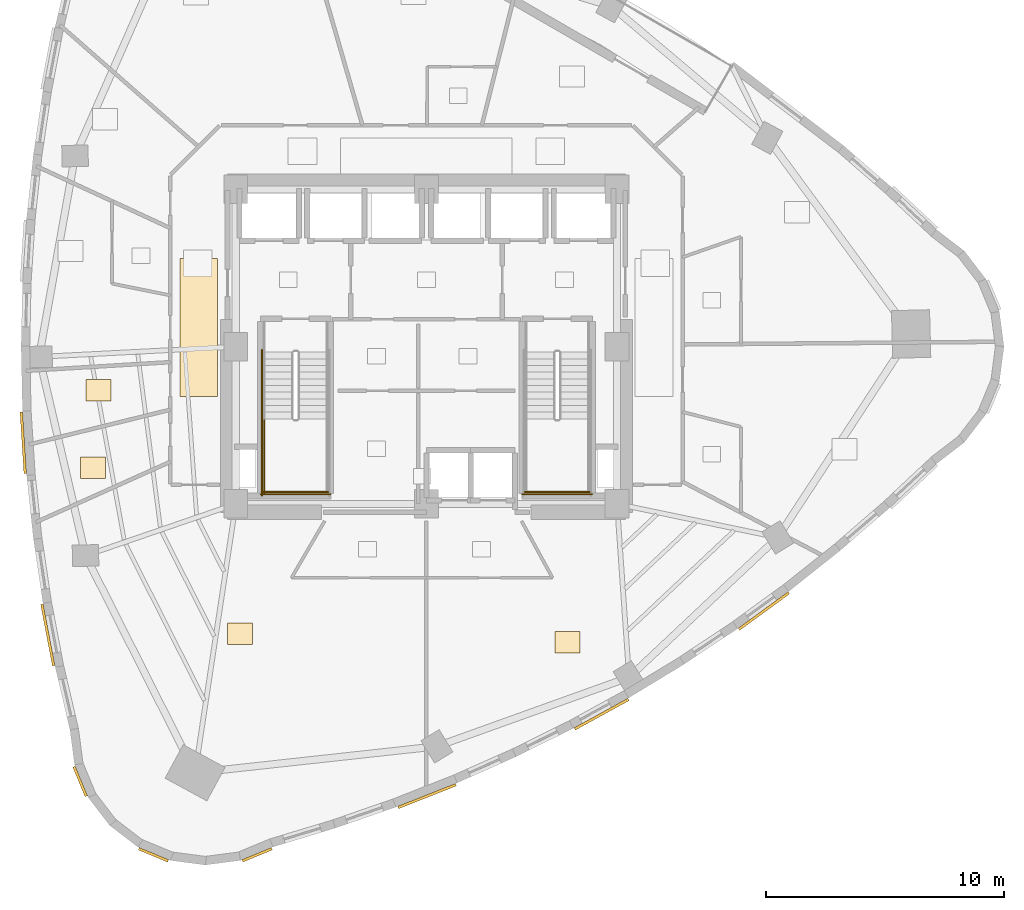
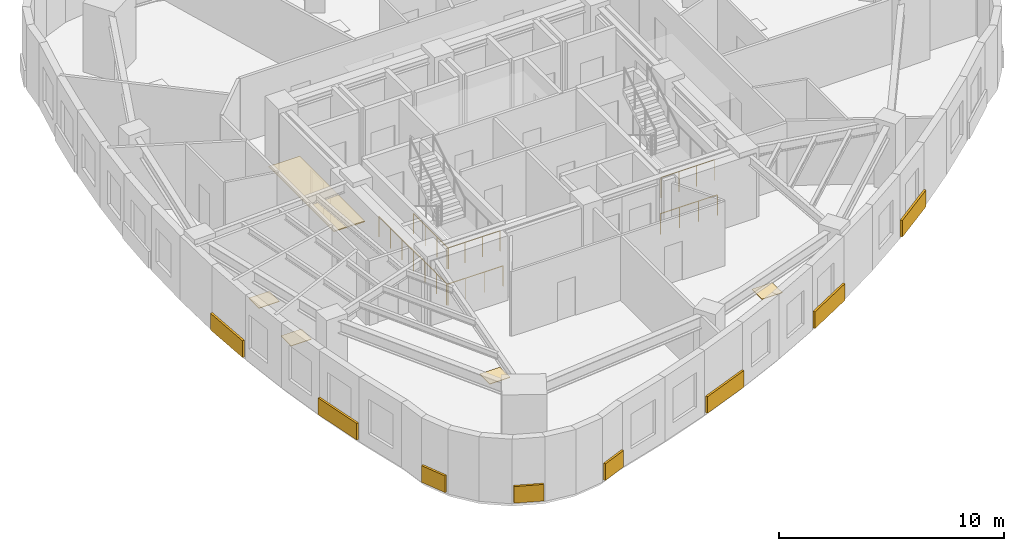
# One storey, part 11 of 13: 13 coverings, 6 railings.
"""IFC4 building model written with IfcOpenShell, lengths in metres."""

from ifc_helpers import new_model, si_unit, direction, frame, origin, origin_2d, place, context, subcontext, project, spatial, rectangle, circle, extrude, material, layer, layer_set, type_object, element, save


model = new_model("IFC4")

# Units and contexts
model_context = context("Model", 3, precision=1e-05, world=origin(), true_north=direction((0.0, 1.0)))
body_context = subcontext(model_context, "Body", "Model", "MODEL_VIEW")
ifc_project = project(units=[si_unit("LENGTHUNIT", "METRE"), si_unit("AREAUNIT", "SQUARE_METRE"), si_unit("VOLUMEUNIT", "CUBIC_METRE"), si_unit("PLANEANGLEUNIT", "RADIAN"), si_unit("MASSUNIT", "GRAM", prefix="KILO")], contexts=[model_context])

# Site, building, storey
site_placement = place(None, origin())
site = spatial("IfcSite", under=ifc_project, at=site_placement, CompositionType="ELEMENT")
building_placement = place(site_placement, origin())
building = spatial("IfcBuilding", under=site, at=building_placement, Name="Ndelora Gate Hotel", CompositionType="ELEMENT")
storey_placement = place(building_placement, frame((0.0, 0.0, 123.5)))
storey = spatial("IfcBuildingStorey", under=building, at=storey_placement, Name="L30", CompositionType="ELEMENT", Elevation=123.5)

# Coverings
ifc_material_1 = material(Name="Perforated Acoustic Gypsum Board", Category="gypsum")
ifc_layer_1 = layer(ifc_material_1, 0.054931640625)
ifc_layer_set_1 = layer_set([ifc_layer_1], Name="Perforated Acoustic Gypsum Board")
covering_type_1 = type_object("IfcCoveringType", Name="COV-CEIL-AC60", PredefinedType="CEILING", material=ifc_layer_set_1)
covering_1_placement = place(storey_placement, frame((-9.550048828125, 0.800048828125, 2.65234375), z_axis=(0.0, 0.0, 1.0), x_axis=(1.0, 0.0, 0.0)))
element("IfcCovering", 1, at=covering_1_placement, inside=storey, type_object=covering_type_1, Name="L30 Guest Corridor Acoustic Ceiling W", PredefinedType="CEILING", context=body_context, shape_type="SweptSolid", body=[
    extrude(rectangle(XDim=1.580078125, YDim=5.800048828125, at=origin_2d()), origin(), (0.0, 0.0, 1.0), 0.054931640625),
])
ifc_material_2 = material(Name="Terracotta Fired Clay Brick Slip Cladding", Category="masonry")
ifc_layer_2 = layer(ifc_material_2, 0.110107421875)
ifc_layer_set_2 = layer_set([ifc_layer_2], Name="Terracotta Fired Clay Brick Slip Cladding")
covering_type_2 = type_object("IfcCoveringType", Name="COV-CLAD-BRK", PredefinedType="CLADDING", material=ifc_layer_set_2)
covering_2_placement = place(storey_placement, frame((-16.9208984375, -4.033203125, 0.10009765625), z_axis=(0.0, 0.0, 1.0), x_axis=(-0.063661438132, 0.99797155335, 0.0)))
element("IfcCovering", 2, at=covering_2_placement, inside=storey, type_object=covering_type_2, Name="L30 Rounded-Corner Brick Cladding Band 16", PredefinedType="CLADDING", context=body_context, shape_type="SweptSolid", body=[
    extrude(rectangle(XDim=2.583984375, YDim=0.110107421875, at=origin_2d()), origin(), (0.0, 0.0, 1.0), 0.89990234375),
])
covering_3_placement = place(storey_placement, frame((-15.89208984375, -12.09912109375, 0.10009765625), z_axis=(0.0, 0.0, 1.0), x_axis=(-0.187895613278, 0.982189003456, 0.0)))
element("IfcCovering", 3, at=covering_3_placement, inside=storey, type_object=covering_type_2, Name="L30 Rounded-Corner Brick Cladding Band 19", PredefinedType="CLADDING", context=body_context, shape_type="SweptSolid", body=[
    extrude(rectangle(XDim=2.6279296875, YDim=0.110107421875, at=origin_2d()), origin(), (0.0, 0.0, 1.0), 0.89990234375),
])
for number, where, z_axis, x_axis, name in (
    (4, (-14.53369140625, -18.249755859375, 0.10009765625), (0.0, 0.0, 1.0), (-0.382683432365, 0.923879532511, 0.0), "L30 Rounded-Corner Brick Cladding Band 22"),
    (5, (-11.456298828125, -21.327392578125, 0.10009765625), (0.0, 0.0, 1.0), (-0.923879532511, 0.382683432365, 0.0), "L30 Rounded-Corner Brick Cladding Band 25"),
    (6, (-7.104248046875, -21.327392578125, 0.10009765625), (0.0, 0.0, 1.0), (0.923879532511, 0.382683432365, 0.0), "L30 Rounded-Corner Brick Cladding Band 28"),
):
    element("IfcCovering", number, at=place(storey_placement, frame(where, z_axis=z_axis, x_axis=x_axis)), inside=storey, type_object=covering_type_2, Name=name, PredefinedType="CLADDING", context=body_context, shape_type="SweptSolid", body=[
        extrude(rectangle(XDim=1.3359375, YDim=0.110107421875, at=origin_2d()), origin(), (0.0, 0.0, 1.0), 0.89990234375),
    ])
covering_4_placement = place(storey_placement, frame((0.02490234375, -18.8642578125, 0.10009765625), z_axis=(0.0, 0.0, 1.0), x_axis=(0.930161475141, 0.367150691357, 0.0)))
element("IfcCovering", 7, at=covering_4_placement, inside=storey, type_object=covering_type_2, Name="L30 Rounded-Corner Brick Cladding Band 31", PredefinedType="CLADDING", context=body_context, shape_type="SweptSolid", body=[
    extrude(rectangle(XDim=2.60791015625, YDim=0.110107421875, at=origin_2d()), origin(), (0.0, 0.0, 1.0), 0.89990234375),
])
covering_5_placement = place(storey_placement, frame((7.353271484375, -15.425048828125, 0.10009765625), z_axis=(0.0, 0.0, 1.0), x_axis=(0.876474790409, 0.481447756021, 0.0)))
element("IfcCovering", 8, at=covering_5_placement, inside=storey, type_object=covering_type_2, Name="L30 Rounded-Corner Brick Cladding Band 34", PredefinedType="CLADDING", context=body_context, shape_type="SweptSolid", body=[
    extrude(rectangle(XDim=2.580078125, YDim=0.110107421875, at=origin_2d()), origin(), (0.0, 0.0, 1.0), 0.89990234375),
])
covering_6_placement = place(storey_placement, frame((14.16748046875, -11.0947265625, 0.10009765625), z_axis=(0.0, 0.0, 1.0), x_axis=(0.808298275618, 0.588773214093, 0.0)))
element("IfcCovering", 9, at=covering_6_placement, inside=storey, type_object=covering_type_2, Name="L30 Rounded-Corner Brick Cladding Band 37", PredefinedType="CLADDING", context=body_context, shape_type="SweptSolid", body=[
    extrude(rectangle(XDim=2.593994140625, YDim=0.110107421875, at=origin_2d()), origin(), (0.0, 0.0, 1.0), 0.89990234375),
])
ifc_material_3 = material(Name="Engineered Highland Oak Parquet", Category="wood")
ifc_layer_3 = layer(ifc_material_3, 0.030029296875)
ifc_layer_set_3 = layer_set([ifc_layer_3], Name="Engineered Highland Oak Parquet")
covering_type_3 = type_object("IfcCoveringType", Name="COV-FLR-PARQ", PredefinedType="FLOORING", material=ifc_layer_set_3)
for number, where, z_axis, x_axis, name in (
    (10, (-7.831787109375, -12.0478515625, 0.0), (0.0, 0.0, 1.0), (1.0, 0.0, 0.0), "L30 Corner Diplomatic Suite 3301 Oak Parquet Flooring"),
    (11, (5.9208984375, -12.40966796875, 0.0), (0.0, 0.0, 1.0), (1.0, 0.0, 0.0), "L30 Club King Corner Suite 3302 Oak Parquet Flooring"),
    (12, (-13.7705078125, -1.8330078125, 0.0), (0.0, 0.0, 1.0), (1.0, 0.0, 0.0), "L30 Housekeeping and Linen Room Oak Parquet Flooring"),
    (13, (-13.990478515625, -5.079833984375, 0.0), (0.0, 0.0, 1.0), (1.0, 0.0, 0.0), "L30 Accessible WC Oak Parquet Flooring"),
):
    element("IfcCovering", number, at=place(storey_placement, frame(where, z_axis=z_axis, x_axis=x_axis)), inside=storey, type_object=covering_type_3, Name=name, PredefinedType="FLOORING", context=body_context, shape_type="SweptSolid", body=[
        extrude(rectangle(XDim=1.050048828125, YDim=0.89990234375, at=origin_2d()), origin(), (0.0, 0.0, 1.0), 0.030029296875),
    ])

# Railings
ifc_material_4 = material(Name="Painted Galvanized Steel Balustrade", Category="steel")
ifc_layer_4 = layer(ifc_material_4, 0.06005859375)
ifc_layer_set_4 = layer_set([ifc_layer_4], Name="Painted Galvanized Steel Balustrade")
railing_type = type_object("IfcRailingType", Name="RL-STAIR-GD", PredefinedType="GUARDRAIL", material=ifc_layer_set_4)
railing_1_placement = place(storey_placement, frame((-6.800048828125, -3.030029296875, 1.875)))
element("IfcRailing", 14, at=railing_1_placement, inside=storey, type_object=railing_type, Name="L30 ST4 stair guard 3", PredefinedType="GUARDRAIL", context=body_context, shape_type="SweptSolid", body=[
    extrude(circle(Radius=0.02392578125, at=origin_2d()), frame((0.0, 0.0, 1.10595703125), z_axis=(0.0, -1.0, 0.0), x_axis=(1.0, 0.0, 0.0)), (0.0, 0.0, 1.0), 3.119873046875),
    extrude(circle(Radius=0.02099609375, at=origin_2d()), origin(), (0.0, 0.0, 1.0), 1.081787109375),
    extrude(circle(Radius=0.02099609375, at=origin_2d()), frame((0.0, -1.0400390625, 0.0)), (0.0, 0.0, 1.0), 1.081787109375),
    extrude(circle(Radius=0.02099609375, at=origin_2d()), frame((0.0, -2.079833984375, 0.0)), (0.0, 0.0, 1.0), 1.081787109375),
    extrude(circle(Radius=0.02099609375, at=origin_2d()), frame((0.0, -3.119873046875, 0.0)), (0.0, 0.0, 1.0), 1.081787109375),
])
railing_2_placement = place(storey_placement, frame((-6.85009765625, -6.10009765625, 1.875)))
element("IfcRailing", 15, at=railing_2_placement, inside=storey, type_object=railing_type, Name="L30 ST4 stair guard 5", PredefinedType="GUARDRAIL", context=body_context, shape_type="SweptSolid", body=[
    extrude(circle(Radius=0.02392578125, at=origin_2d()), frame((0.0, 0.0, 1.10595703125), z_axis=(1.0, 0.0, 0.0), x_axis=(0.0, 1.0, 0.0)), (0.0, 0.0, 1.0), 2.72021484375),
    extrude(circle(Radius=0.02099609375, at=origin_2d()), origin(), (0.0, 0.0, 1.0), 1.081787109375),
    extrude(circle(Radius=0.02099609375, at=origin_2d()), frame((0.90673828125, 0.0, 0.0)), (0.0, 0.0, 1.0), 1.081787109375),
    extrude(circle(Radius=0.02099609375, at=origin_2d()), frame((1.8134765625, 0.0, 0.0)), (0.0, 0.0, 1.0), 1.081787109375),
    extrude(circle(Radius=0.02099609375, at=origin_2d()), frame((2.72021484375, 0.0, 0.0)), (0.0, 0.0, 1.0), 1.081787109375),
])
railing_3_placement = place(storey_placement, frame((-6.89990234375, -0.1298828125, 0.0)))
element("IfcRailing", 16, at=railing_3_placement, inside=storey, type_object=railing_type, Name="L30 ST4 stair guard 10", PredefinedType="GUARDRAIL", context=body_context, shape_type="SweptSolid", body=[
    extrude(circle(Radius=0.02392578125, at=origin_2d()), frame((0.0, 0.0, 1.10595703125), z_axis=(0.0, -1.0, 0.0), x_axis=(1.0, 0.0, 0.0)), (0.0, 0.0, 1.0), 6.1201171875),
    extrude(circle(Radius=0.02099609375, at=origin_2d()), origin(), (0.0, 0.0, 1.0), 1.081787109375),
    extrude(circle(Radius=0.02099609375, at=origin_2d()), frame((0.0, -1.02001953125, 0.0)), (0.0, 0.0, 1.0), 1.081787109375),
    extrude(circle(Radius=0.02099609375, at=origin_2d()), frame((0.0, -2.0400390625, 0.0)), (0.0, 0.0, 1.0), 1.081787109375),
    extrude(circle(Radius=0.02099609375, at=origin_2d()), frame((0.0, -3.06005859375, 0.0)), (0.0, 0.0, 1.0), 1.081787109375),
    extrude(circle(Radius=0.02099609375, at=origin_2d()), frame((0.0, -4.080078125, 0.0)), (0.0, 0.0, 1.0), 1.081787109375),
    extrude(circle(Radius=0.02099609375, at=origin_2d()), frame((0.0, -5.10009765625, 0.0)), (0.0, 0.0, 1.0), 1.081787109375),
    extrude(circle(Radius=0.02099609375, at=origin_2d()), frame((0.0, -6.1201171875, 0.0)), (0.0, 0.0, 1.0), 1.081787109375),
])
railing_4_placement = place(storey_placement, frame((-6.949951171875, -6.199951171875, 0.0)))
element("IfcRailing", 17, at=railing_4_placement, inside=storey, type_object=railing_type, Name="L30 ST4 stair guard 12", PredefinedType="GUARDRAIL", context=body_context, shape_type="SweptSolid", body=[
    extrude(circle(Radius=0.02392578125, at=origin_2d()), frame((0.0, 0.0, 1.10595703125), z_axis=(1.0, 0.0, 0.0), x_axis=(0.0, 1.0, 0.0)), (0.0, 0.0, 1.0), 2.919921875),
    extrude(circle(Radius=0.02099609375, at=origin_2d()), origin(), (0.0, 0.0, 1.0), 1.081787109375),
    extrude(circle(Radius=0.02099609375, at=origin_2d()), frame((0.973388671875, 0.0, 0.0)), (0.0, 0.0, 1.0), 1.081787109375),
    extrude(circle(Radius=0.02099609375, at=origin_2d()), frame((1.946533203125, 0.0, 0.0)), (0.0, 0.0, 1.0), 1.081787109375),
    extrude(circle(Radius=0.02099609375, at=origin_2d()), frame((2.919921875, 0.0, 0.0)), (0.0, 0.0, 1.0), 1.081787109375),
])
railing_5_placement = place(storey_placement, frame((4.1298828125, -6.10009765625, 1.875)))
element("IfcRailing", 18, at=railing_5_placement, inside=storey, type_object=railing_type, Name="L30 ST5 stair guard 5", PredefinedType="GUARDRAIL", context=body_context, shape_type="SweptSolid", body=[
    extrude(circle(Radius=0.02392578125, at=origin_2d()), frame((0.0, 0.0, 1.10595703125), z_axis=(1.0, 0.0, 0.0), x_axis=(0.0, 1.0, 0.0)), (0.0, 0.0, 1.0), 2.72021484375),
    extrude(circle(Radius=0.02099609375, at=origin_2d()), origin(), (0.0, 0.0, 1.0), 1.081787109375),
    extrude(circle(Radius=0.02099609375, at=origin_2d()), frame((0.90673828125, 0.0, 0.0)), (0.0, 0.0, 1.0), 1.081787109375),
    extrude(circle(Radius=0.02099609375, at=origin_2d()), frame((1.8134765625, 0.0, 0.0)), (0.0, 0.0, 1.0), 1.081787109375),
    extrude(circle(Radius=0.02099609375, at=origin_2d()), frame((2.72021484375, 0.0, 0.0)), (0.0, 0.0, 1.0), 1.081787109375),
])
railing_6_placement = place(storey_placement, frame((4.030029296875, -6.199951171875, 0.0)))
element("IfcRailing", 19, at=railing_6_placement, inside=storey, type_object=railing_type, Name="L30 ST5 stair guard 12", PredefinedType="GUARDRAIL", context=body_context, shape_type="SweptSolid", body=[
    extrude(circle(Radius=0.02392578125, at=origin_2d()), frame((0.0, 0.0, 1.10595703125), z_axis=(1.0, 0.0, 0.0), x_axis=(0.0, 1.0, 0.0)), (0.0, 0.0, 1.0), 2.919921875),
    extrude(circle(Radius=0.02099609375, at=origin_2d()), origin(), (0.0, 0.0, 1.0), 1.081787109375),
    extrude(circle(Radius=0.02099609375, at=origin_2d()), frame((0.973388671875, 0.0, 0.0)), (0.0, 0.0, 1.0), 1.081787109375),
    extrude(circle(Radius=0.02099609375, at=origin_2d()), frame((1.946533203125, 0.0, 0.0)), (0.0, 0.0, 1.0), 1.081787109375),
    extrude(circle(Radius=0.02099609375, at=origin_2d()), frame((2.919921875, 0.0, 0.0)), (0.0, 0.0, 1.0), 1.081787109375),
])

save(model, "model.ifc")
